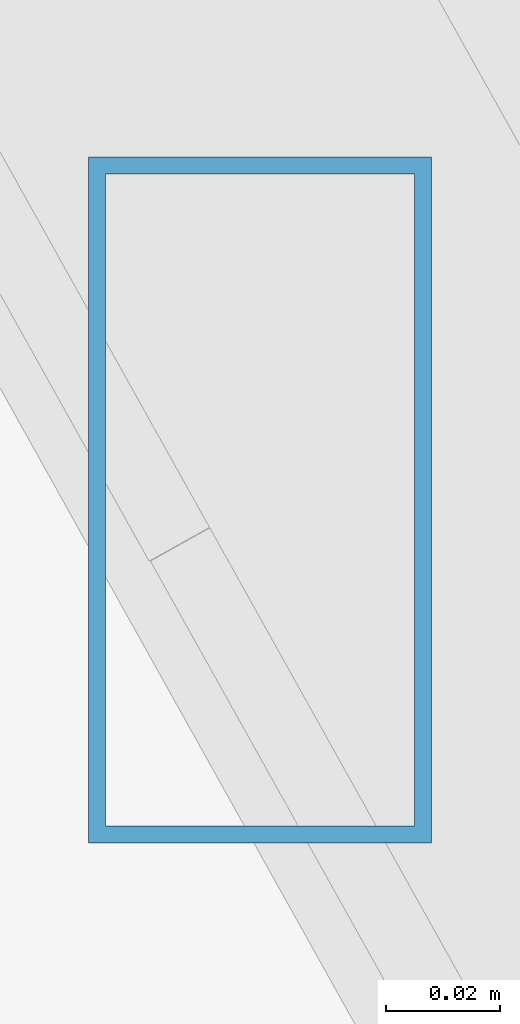
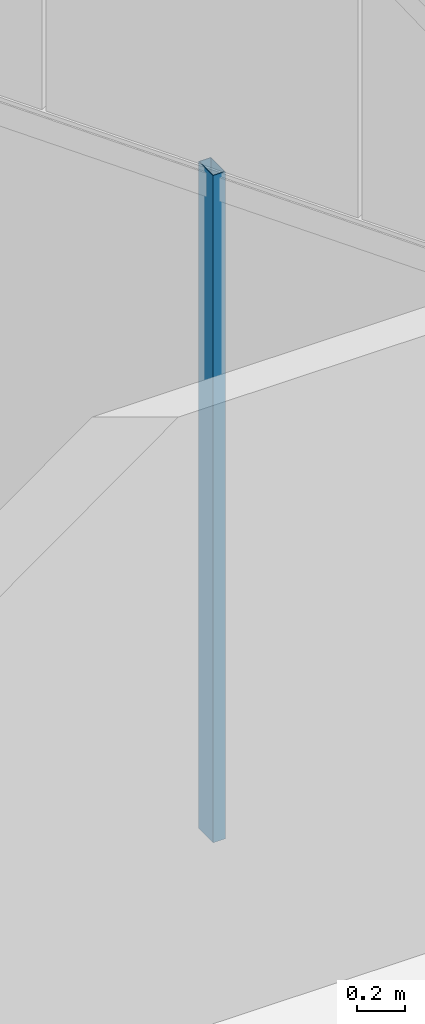
# One storey, part 28 of 50: 1 member, 1 element without a shape of its own.
"""IFC4 building model written with IfcOpenShell, lengths in metres."""

from ifc_helpers import new_model, si_unit, direction, frame, origin, origin_2d, place, context, subcontext, project, spatial, hollow_rectangle, extrude, source, transform, mapped, material, material_profile, profile_set, type_object, type_shapes, element, aggregate, save


model = new_model("IFC4")

# Units and contexts
model_context = context("Model", 3, precision=1e-05, world=origin(), true_north=direction((0.0, 1.0)))
body_context = subcontext(model_context, "Body", "Model", "MODEL_VIEW")
ifc_project = project(units=[si_unit("LENGTHUNIT", "METRE"), si_unit("AREAUNIT", "SQUARE_METRE"), si_unit("VOLUMEUNIT", "CUBIC_METRE"), si_unit("PLANEANGLEUNIT", "RADIAN"), si_unit("MASSUNIT", "GRAM", prefix="KILO")], contexts=[model_context])

# Site, building, storey
site_placement = place(None, origin())
site = spatial("IfcSite", under=ifc_project, at=site_placement, CompositionType="ELEMENT")
building_placement = place(site_placement, origin())
building = spatial("IfcBuilding", under=site, at=building_placement, Name="Caelisora Broadcast Tower", CompositionType="ELEMENT")
storey_placement = place(building_placement, frame((0.0, 0.0, 303.39990234375)))
storey = spatial("IfcBuildingStorey", under=building, at=storey_placement, Name="L80", CompositionType="ELEMENT", Elevation=303.39990234375)

# Curtain wall, member
ifc_material_1 = material(Name="Unitised Aluminium Insulated Shadow-Box Spandrel Curtain Wall", Category="aluminium")
curtain_wall_type = type_object("IfcCurtainWallType", Name="CW-SP3", PredefinedType="NOTDEFINED", material=ifc_material_1)
curtain_wall_placement = place(storey_placement, origin())
curtain_wall = element("IfcCurtainWall", 1, at=curtain_wall_placement, inside=storey, type_object=curtain_wall_type, Name="L80 curtain wall CW-SP3", PredefinedType="NOTDEFINED")
ifc_material_2 = material(Name="Aluminium 6063-T6 Anodised Terracotta Bronze", Category="aluminium")
ifc_material_profile = material_profile(ifc_material_2, hollow_rectangle(XDim=0.06005859375, YDim=0.1201171875, WallThickness=0.0029296875, at=origin_2d()), Name="Aluminium 6063-T6 Anodised Terracotta Bronze")
ifc_profile_set = profile_set([ifc_material_profile], Name="Aluminium 6063-T6 Anodised Terracotta Bronze")
member_type = type_object("IfcMemberType", Name="CWM-04", PredefinedType="MULLION", material=ifc_profile_set)
shared_shape = source(origin(), body_context, "Body", "SweptSolid", [
    extrude(hollow_rectangle(XDim=0.06005859375, YDim=0.1201171875, WallThickness=0.0029296875, at=origin_2d()), origin(), (0.0, 0.0, 1.0), 3.400146484375),
])
type_shapes(member_type, [shared_shape])
member_placement = place(storey_placement, frame((56.356201171875, 21.110595703125, 0.0), z_axis=(0.0, 0.0, 1.0), x_axis=(1.0, 0.0, 0.0)))
member = element("IfcMember", 2, at=member_placement, type_object=member_type, Name="L80-CW-B03 mullion #1", PredefinedType="MULLION", context=body_context, shape_type="MappedRepresentation", body=[
    mapped(shared_shape, transform((0.0, 0.0, 0.0), scale=1.0)),
])
aggregate(curtain_wall, [member])

save(model, "model.ifc")
